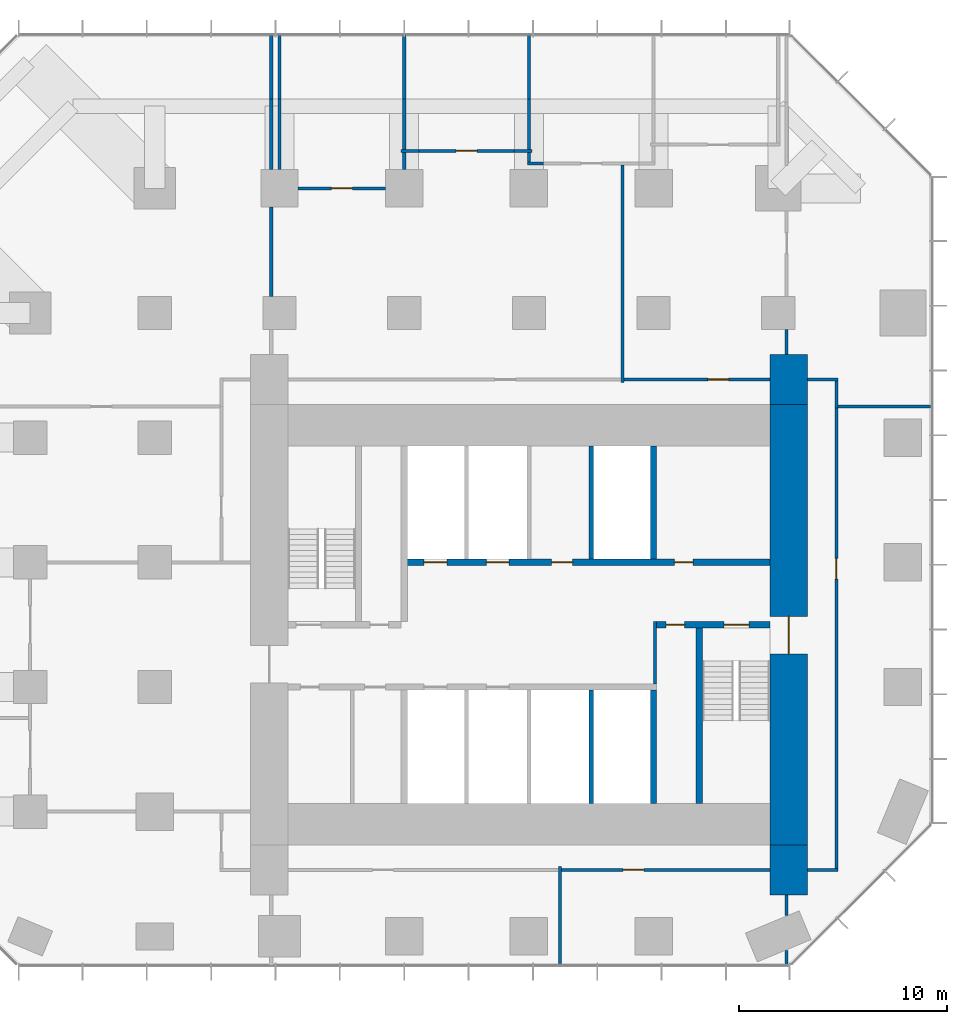
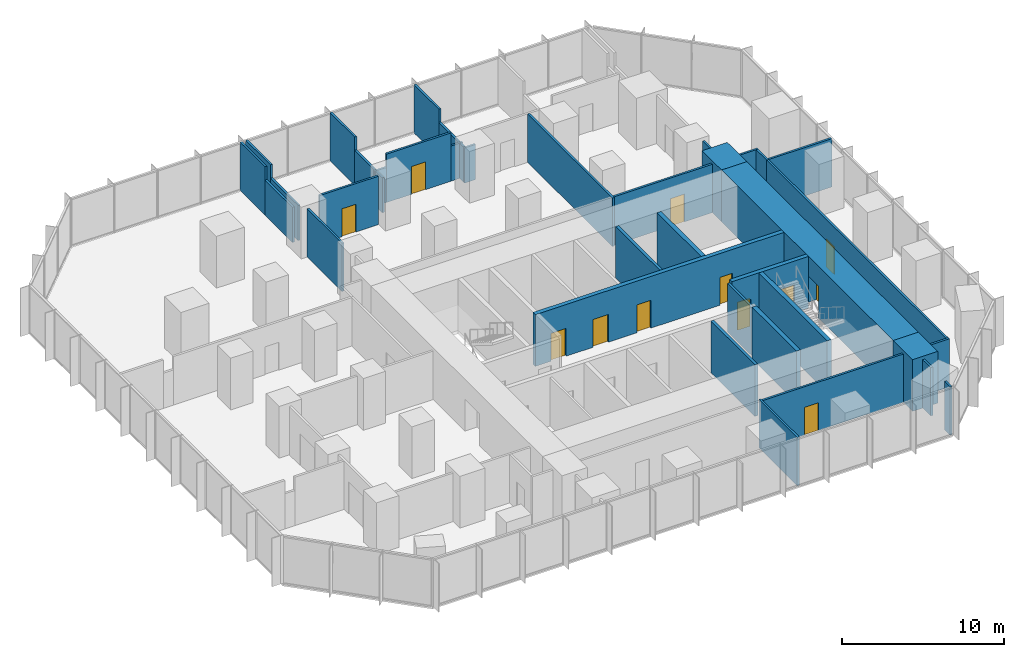
# One storey, part 9 of 11: 39 walls, 12 doors, 12 openings.
"""IFC4 building model written with IfcOpenShell, lengths in metres."""

from ifc_helpers import new_model, si_unit, direction, frame, frame_2d, origin, place, context, subcontext, project, spatial, rectangle, extrude, material, layer, layer_set, type_object, element, fill, save


model = new_model("IFC4")

# Units and contexts
model_context = context("Model", 3, precision=1e-05, world=origin(), true_north=direction((0.0, 1.0)))
body_context = subcontext(model_context, "Body", "Model", "MODEL_VIEW")
ifc_project = project(units=[si_unit("LENGTHUNIT", "METRE"), si_unit("AREAUNIT", "SQUARE_METRE"), si_unit("VOLUMEUNIT", "CUBIC_METRE"), si_unit("PLANEANGLEUNIT", "RADIAN"), si_unit("MASSUNIT", "GRAM", prefix="KILO")], contexts=[model_context])

# Site, building, storey
site_placement = place(None, origin())
site = spatial("IfcSite", under=ifc_project, at=site_placement, CompositionType="ELEMENT")
building_placement = place(site_placement, origin())
building = spatial("IfcBuilding", under=site, at=building_placement, Name="Highveld Stack Headquarters", CompositionType="ELEMENT")
storey_placement = place(building_placement, frame((0.0, 0.0, 93.800048828125)))
storey = spatial("IfcBuildingStorey", under=building, at=storey_placement, Name="L22", CompositionType="ELEMENT", Elevation=93.800048828125)

# Wall, opening, door
ifc_material_1 = material(Name="Concrete C60/75", Category="concrete")
ifc_layer_1 = layer(ifc_material_1, 1.800048828125)
ifc_layer_set_1 = layer_set([ifc_layer_1], Name="Concrete C60/75")
wall_type_1 = type_object("IfcWallType", Name="CORE WALL 1800 C60/75", PredefinedType="SHEAR", material=ifc_layer_set_1)
wall_1_placement = place(storey_placement, frame((18.5, -7.60009765625, 0.0), z_axis=(0.0, 0.0, 1.0), x_axis=(0.0, 1.0, 0.0)))
wall_1 = element("IfcWall", 1, at=wall_1_placement, inside=storey, type_object=wall_type_1, Name="Core wall E L22", PredefinedType="SHEAR", context=body_context, shape_type="SweptSolid", body=[
    extrude(rectangle(XDim=21.2001953125, YDim=1.800048828125, at=frame_2d((10.60009765625, 0.0))), origin(), (0.0, 0.0, 1.0), 3.89990234375),
])
opening_1_placement = place(wall_1_placement, frame((9.199951171875, 0.0, 0.0)))
opening_1 = element("IfcOpeningElement", 2, at=opening_1_placement, cuts=wall_1, Name="Opening L22-02", PredefinedType="OPENING", context=body_context, shape_type="SweptSolid", body=[
    extrude(rectangle(XDim=1.800048828125, YDim=2.39990234375, at=frame_2d((0.89990234375, 1.199951171875))), frame((0.0, 0.909912109375, 0.0), z_axis=(0.0, -1.0, 0.0), x_axis=(1.0, 0.0, 0.0)), (0.0, 0.0, 1.0), 1.820068359375),
])
ifc_material_2 = material(Name="Steel fire door", Category="steel")
door_type_1 = type_object("IfcDoorType", Name="LOBBY FIRE DOOR D4 1800x2400", OperationType="DOUBLE_DOOR_SINGLE_SWING", PredefinedType="DOOR", material=ifc_material_2)
door_1_placement = place(opening_1_placement, origin())
door_1 = element("IfcDoor", 3, at=door_1_placement, inside=storey, type_object=door_type_1, Name="Core east door L22", OperationType="DOUBLE_DOOR_SINGLE_SWING", OverallHeight=2.39990234375, OverallWidth=1.800048828125, PredefinedType="DOOR", context=body_context, shape_type="SweptSolid", body=[
    extrude(rectangle(XDim=1.800048828125, YDim=2.39990234375, at=frame_2d((0.89990234375, 1.199951171875))), frame((0.0, 0.02490234375, 0.0), z_axis=(0.0, -1.0, 0.0), x_axis=(1.0, 0.0, 0.0)), (0.0, 0.0, 1.0), 0.050048828125),
])
fill(opening_1, door_1)

# Wall, openings, doors
ifc_material_3 = material(Name="Concrete C60/75", Category="concrete")
ifc_layer_2 = layer(ifc_material_3, 0.300048828125)
ifc_layer_set_2 = layer_set([ifc_layer_2], Name="Concrete C60/75")
wall_type_2 = type_object("IfcWallType", Name="CORE WALL 300 C60/75", PredefinedType="SHEAR", material=ifc_layer_set_2)
wall_2_placement = place(storey_placement, frame((12.14990234375, 3.0, 0.0), z_axis=(0.0, 0.0, 1.0), x_axis=(1.0, 0.0, 0.0)))
wall_2 = element("IfcWall", 4, at=wall_2_placement, inside=storey, type_object=wall_type_2, Name="Core wall I-Y3E L22", PredefinedType="SHEAR", context=body_context, shape_type="SweptSolid", body=[
    extrude(rectangle(XDim=5.4501953125, YDim=0.300048828125, at=frame_2d((2.72509765625, 0.0))), origin(), (0.0, 0.0, 1.0), 3.89990234375),
])
opening_2_placement = place(wall_2_placement, frame((3.25, 0.0, 0.0)))
opening_2 = element("IfcOpeningElement", 5, at=opening_2_placement, cuts=wall_2, Name="Opening L22-05", PredefinedType="OPENING", context=body_context, shape_type="SweptSolid", body=[
    extrude(rectangle(XDim=1.199951171875, YDim=2.10009765625, at=frame_2d((0.60009765625, 1.050048828125))), frame((0.0, 0.159912109375, 0.0), z_axis=(0.0, -1.0, 0.0), x_axis=(1.0, 0.0, 0.0)), (0.0, 0.0, 1.0), 0.320068359375),
])
opening_3_placement = place(wall_2_placement, frame((0.449951171875, 0.0, 0.0)))
opening_3 = element("IfcOpeningElement", 6, at=opening_3_placement, cuts=wall_2, Name="Opening L22-06", PredefinedType="OPENING", context=body_context, shape_type="SweptSolid", body=[
    extrude(rectangle(XDim=0.89990234375, YDim=2.10009765625, at=frame_2d((0.449951171875, 1.050048828125))), frame((0.0, 0.159912109375, 0.0), z_axis=(0.0, -1.0, 0.0), x_axis=(1.0, 0.0, 0.0)), (0.0, 0.0, 1.0), 0.320068359375),
])
ifc_material_4 = material(Name="Steel fire door", Category="steel")
door_type_2 = type_object("IfcDoorType", Name="RISER ACCESS DOOR D5 900x2100", OperationType="SINGLE_SWING_LEFT", PredefinedType="DOOR", material=ifc_material_4)
door_2_placement = place(opening_3_placement, origin())
door_2 = element("IfcDoor", 7, at=door_2_placement, inside=storey, type_object=door_type_2, Name="Riser R2 door L22", OperationType="SINGLE_SWING_LEFT", OverallHeight=2.10009765625, OverallWidth=0.89990234375, PredefinedType="DOOR", context=body_context, shape_type="SweptSolid", body=[
    extrude(rectangle(XDim=0.89990234375, YDim=2.10009765625, at=frame_2d((0.449951171875, 1.050048828125))), frame((0.0, 0.02490234375, 0.0), z_axis=(0.0, -1.0, 0.0), x_axis=(1.0, 0.0, 0.0)), (0.0, 0.0, 1.0), 0.050048828125),
])
fill(opening_3, door_2)
ifc_material_5 = material(Name="Steel fire door", Category="steel")
door_type_3 = type_object("IfcDoorType", Name="STAIR FIRE DOOR D3 1200x2100", OperationType="SINGLE_SWING_LEFT", PredefinedType="DOOR", material=ifc_material_5)
door_3_placement = place(opening_2_placement, origin())
door_3 = element("IfcDoor", 8, at=door_3_placement, inside=storey, type_object=door_type_3, Name="Stair S2 door L22", OperationType="SINGLE_SWING_RIGHT", OverallHeight=2.10009765625, OverallWidth=1.199951171875, PredefinedType="DOOR", context=body_context, shape_type="SweptSolid", body=[
    extrude(rectangle(XDim=1.199951171875, YDim=2.10009765625, at=frame_2d((0.60009765625, 1.050048828125))), frame((0.0, 0.02490234375, 0.0), z_axis=(0.0, -1.0, 0.0), x_axis=(1.0, 0.0, 0.0)), (0.0, 0.0, 1.0), 0.050048828125),
])
fill(opening_2, door_3)

wall_3_placement = place(storey_placement, frame((-0.14990234375, 6.0, 0.0), z_axis=(0.0, 0.0, 1.0), x_axis=(1.0, 0.0, 0.0)))
wall_3 = element("IfcWall", 9, at=wall_3_placement, inside=storey, type_object=wall_type_2, Name="Core wall I-Y6 L22", PredefinedType="SHEAR", context=body_context, shape_type="SweptSolid", body=[
    extrude(rectangle(XDim=17.75, YDim=0.300048828125, at=frame_2d((8.875, 0.0))), origin(), (0.0, 0.0, 1.0), 3.89990234375),
])
opening_4_placement = place(wall_3_placement, frame((13.14990234375, 0.0, 0.0)))
opening_4 = element("IfcOpeningElement", 10, at=opening_4_placement, cuts=wall_3, Name="Opening L22-09", PredefinedType="OPENING", context=body_context, shape_type="SweptSolid", body=[
    extrude(rectangle(XDim=0.89990234375, YDim=2.10009765625, at=frame_2d((0.449951171875, 1.050048828125))), frame((0.0, 0.159912109375, 0.0), z_axis=(0.0, -1.0, 0.0), x_axis=(1.0, 0.0, 0.0)), (0.0, 0.0, 1.0), 0.320068359375),
])
opening_5_placement = place(wall_3_placement, frame((7.25, 0.0, 0.0)))
opening_5 = element("IfcOpeningElement", 11, at=opening_5_placement, cuts=wall_3, Name="Opening L22-10", PredefinedType="OPENING", context=body_context, shape_type="SweptSolid", body=[
    extrude(rectangle(XDim=1.0, YDim=2.10009765625, at=frame_2d((0.5, 1.050048828125))), frame((0.0, 0.159912109375, 0.0), z_axis=(0.0, -1.0, 0.0), x_axis=(1.0, 0.0, 0.0)), (0.0, 0.0, 1.0), 0.320068359375),
])
opening_6_placement = place(wall_3_placement, frame((1.10009765625, 0.0, 0.0)))
opening_6 = element("IfcOpeningElement", 12, at=opening_6_placement, cuts=wall_3, Name="Opening LD", PredefinedType="OPENING", context=body_context, shape_type="SweptSolid", body=[
    extrude(rectangle(XDim=1.10009765625, YDim=2.10009765625, at=frame_2d((0.550048828125, 1.050048828125))), frame((0.0, 0.159912109375, 0.0), z_axis=(0.0, -1.0, 0.0), x_axis=(1.0, 0.0, 0.0)), (0.0, 0.0, 1.0), 0.320068359375),
])
opening_7_placement = place(wall_3_placement, frame((4.10009765625, 0.0, 0.0)))
opening_7 = element("IfcOpeningElement", 13, at=opening_7_placement, cuts=wall_3, Name="Opening LD", PredefinedType="OPENING", context=body_context, shape_type="SweptSolid", body=[
    extrude(rectangle(XDim=1.10009765625, YDim=2.10009765625, at=frame_2d((0.550048828125, 1.050048828125))), frame((0.0, 0.159912109375, 0.0), z_axis=(0.0, -1.0, 0.0), x_axis=(1.0, 0.0, 0.0)), (0.0, 0.0, 1.0), 0.320068359375),
])
ifc_material_6 = material(Name="Steel fire door", Category="steel")
door_type_4 = type_object("IfcDoorType", Name="CORE ROOM FIRE DOOR D14 1000x2100", OperationType="SINGLE_SWING_LEFT", PredefinedType="DOOR", material=ifc_material_6)
door_4_placement = place(opening_5_placement, origin())
door_4 = element("IfcDoor", 14, at=door_4_placement, inside=storey, type_object=door_type_4, Name="Capped A 1 door L22", OperationType="SINGLE_SWING_LEFT", OverallHeight=2.10009765625, OverallWidth=1.0, PredefinedType="DOOR", context=body_context, shape_type="SweptSolid", body=[
    extrude(rectangle(XDim=1.0, YDim=2.10009765625, at=frame_2d((0.5, 1.050048828125))), frame((0.0, 0.02490234375, 0.0), z_axis=(0.0, -1.0, 0.0), x_axis=(1.0, 0.0, 0.0)), (0.0, 0.0, 1.0), 0.050048828125),
])
fill(opening_5, door_4)
ifc_material_7 = material(Name="Stainless steel lift landing door", Category="steel")
door_type_5 = type_object("IfcDoorType", Name="LIFT LANDING DOOR LD 1100x2100", OperationType="DOUBLE_DOOR_SLIDING", PredefinedType="USERDEFINED", material=ifc_material_7)
door_5_placement = place(opening_6_placement, origin())
door_5 = element("IfcDoor", 15, at=door_5_placement, inside=storey, type_object=door_type_5, Name="Lift landing door FF1 L22", ObjectType="LIFT LANDING DOOR", OperationType="DOUBLE_DOOR_SLIDING", OverallHeight=2.10009765625, OverallWidth=1.10009765625, PredefinedType="USERDEFINED", context=body_context, shape_type="SweptSolid", body=[
    extrude(rectangle(XDim=1.10009765625, YDim=2.10009765625, at=frame_2d((0.550048828125, 1.050048828125))), frame((0.0, 0.02490234375, 0.0), z_axis=(0.0, -1.0, 0.0), x_axis=(1.0, 0.0, 0.0)), (0.0, 0.0, 1.0), 0.050048828125),
])
fill(opening_6, door_5)
door_6_placement = place(opening_7_placement, origin())
door_6 = element("IfcDoor", 16, at=door_6_placement, inside=storey, type_object=door_type_5, Name="Lift landing door FF2 L22", ObjectType="LIFT LANDING DOOR", OperationType="DOUBLE_DOOR_SLIDING", OverallHeight=2.10009765625, OverallWidth=1.10009765625, PredefinedType="USERDEFINED", context=body_context, shape_type="SweptSolid", body=[
    extrude(rectangle(XDim=1.10009765625, YDim=2.10009765625, at=frame_2d((0.550048828125, 1.050048828125))), frame((0.0, 0.02490234375, 0.0), z_axis=(0.0, -1.0, 0.0), x_axis=(1.0, 0.0, 0.0)), (0.0, 0.0, 1.0), 0.050048828125),
])
fill(opening_7, door_6)
ifc_material_8 = material(Name="Timber door, painted", Category="wood")
door_type_6 = type_object("IfcDoorType", Name="WC DOOR D1 900x2100", OperationType="SINGLE_SWING_LEFT", PredefinedType="DOOR", material=ifc_material_8)
door_7_placement = place(opening_4_placement, origin())
door_7 = element("IfcDoor", 17, at=door_7_placement, inside=storey, type_object=door_type_6, Name="Male WC door L22", OperationType="SINGLE_SWING_RIGHT", OverallHeight=2.10009765625, OverallWidth=0.89990234375, PredefinedType="DOOR", context=body_context, shape_type="SweptSolid", body=[
    extrude(rectangle(XDim=0.89990234375, YDim=2.10009765625, at=frame_2d((0.449951171875, 1.050048828125))), frame((0.0, 0.02490234375, 0.0), z_axis=(0.0, -1.0, 0.0), x_axis=(1.0, 0.0, 0.0)), (0.0, 0.0, 1.0), 0.050048828125),
])
fill(opening_4, door_7)

# Walls
for number, where, z_axis, x_axis, name in (
    (18, (12.0, -5.60009765625, 0.0), (0.0, 0.0, 1.0), (0.0, 1.0, 0.0), "Core wall I-X12S L22"),
    (19, (12.0, 6.14990234375, 0.0), (0.0, 0.0, 1.0), (0.0, 1.0, 0.0), "Core wall I-X12N L22"),
):
    element("IfcWall", number, at=place(storey_placement, frame(where, z_axis=z_axis, x_axis=x_axis)), inside=storey, type_object=wall_type_2, Name=name, PredefinedType="SHEAR", context=body_context, shape_type="SweptSolid", body=[
        extrude(rectangle(XDim=5.4501953125, YDim=0.300048828125, at=frame_2d((2.72509765625, 0.0))), origin(), (0.0, 0.0, 1.0), 3.89990234375),
    ])
wall_4_placement = place(storey_placement, frame((14.199951171875, -5.60009765625, 0.0), z_axis=(0.0, 0.0, 1.0), x_axis=(0.0, 1.0, 0.0)))
element("IfcWall", 20, at=wall_4_placement, inside=storey, type_object=wall_type_2, Name="Core wall I-RE L22", PredefinedType="SHEAR", context=body_context, shape_type="SweptSolid", body=[
    extrude(rectangle(XDim=8.4501953125, YDim=0.300048828125, at=frame_2d((4.22509765625, 0.0))), origin(), (0.0, 0.0, 1.0), 3.89990234375),
])
ifc_material_9 = material(Name="Concrete C60/75", Category="concrete")
ifc_layer_3 = layer(ifc_material_9, 1.800048828125)
ifc_layer_set_3 = layer_set([ifc_layer_3], Name="Concrete C60/75")
wall_type_3 = type_object("IfcWallType", Name="CORE WING WALL 1800 C60/75", PredefinedType="SHEAR", material=ifc_layer_set_3)
for number, where, z_axis, x_axis, name in (
    (21, (18.5, -10.0, 0.0), (0.0, 0.0, 1.0), (0.0, 1.0, 0.0), "Core wing wall ES L22"),
    (22, (18.5, 13.60009765625, 0.0), (0.0, 0.0, 1.0), (0.0, 1.0, 0.0), "Core wing wall EN L22"),
):
    element("IfcWall", number, at=place(storey_placement, frame(where, z_axis=z_axis, x_axis=x_axis)), inside=storey, type_object=wall_type_3, Name=name, PredefinedType="SHEAR", context=body_context, shape_type="SweptSolid", body=[
        extrude(rectangle(XDim=2.39990234375, YDim=1.800048828125, at=frame_2d((1.199951171875, 0.0))), origin(), (0.0, 0.0, 1.0), 3.89990234375),
    ])
ifc_material_10 = material(Name="Concrete blockwork, plastered", Category="masonry")
ifc_layer_4 = layer(ifc_material_10, 0.14990234375)
ifc_layer_set_4 = layer_set([ifc_layer_4], Name="Concrete blockwork, plastered")
wall_type_4 = type_object("IfcWallType", Name="FIRE PARTITION 150 BLOCKWORK", PredefinedType="PARTITIONING", material=ifc_layer_set_4)
wall_5_placement = place(storey_placement, frame((12.074951171875, 0.14990234375, 0.0), z_axis=(0.0, 0.0, 1.0), x_axis=(0.0, 1.0, 0.0)))
element("IfcWall", 23, at=wall_5_placement, inside=storey, type_object=wall_type_4, Name="Riser R2 enclosure L22", PredefinedType="PARTITIONING", context=body_context, shape_type="SweptSolid", body=[
    extrude(rectangle(XDim=3.0, YDim=0.14990234375, at=frame_2d((1.5, 0.0))), origin(), (0.0, 0.0, 1.0), 3.64990234375),
])
ifc_material_11 = material(Name="Concrete blockwork, fair-faced", Category="masonry")
ifc_layer_5 = layer(ifc_material_11, 0.199951171875)
ifc_layer_set_5 = layer_set([ifc_layer_5], Name="Concrete blockwork, fair-faced")
wall_type_5 = type_object("IfcWallType", Name="LIFT SHAFT ENCLOSURE WALL 200 BLOCKWORK", PredefinedType="SOLIDWALL", material=ifc_layer_set_5)
for number, where, z_axis, x_axis, name in (
    (24, (9.0, 6.14990234375, 0.0), (0.0, 0.0, 1.0), (0.0, 1.0, 0.0), "Lift shaft wall L22"),
    (25, (9.0, -5.60009765625, 0.0), (0.0, 0.0, 1.0), (0.0, 1.0, 0.0), "Lift shaft wall L22"),
):
    element("IfcWall", number, at=place(storey_placement, frame(where, z_axis=z_axis, x_axis=x_axis)), inside=storey, type_object=wall_type_5, Name=name, PredefinedType="SOLIDWALL", context=body_context, shape_type="SweptSolid", body=[
        extrude(rectangle(XDim=5.4501953125, YDim=0.199951171875, at=frame_2d((2.72509765625, 0.0))), origin(), (0.0, 0.0, 1.0), 3.89990234375),
    ])

# Wall, opening, door
ifc_material_12 = material(Name="Gypsum plasterboard on steel studs", Category="steel")
ifc_layer_6 = layer(ifc_material_12, 0.14990234375)
ifc_layer_set_6 = layer_set([ifc_layer_6], Name="Gypsum plasterboard on steel studs")
wall_type_6 = type_object("IfcWallType", Name="PARTITION 150 PLASTERBOARD", PredefinedType="PARTITIONING", material=ifc_layer_set_6)
wall_6_placement = place(storey_placement, frame((-5.10009765625, 24.0, 0.0), z_axis=(0.0, 0.0, 1.0), x_axis=(1.0, 0.0, 0.0)))
wall_6 = element("IfcWall", 26, at=wall_6_placement, inside=storey, type_object=wall_type_6, Name="Partition Office L22", PredefinedType="PARTITIONING", context=body_context, shape_type="SweptSolid", body=[
    extrude(rectangle(XDim=4.2001953125, YDim=0.14990234375, at=frame_2d((2.10009765625, 0.0))), origin(), (0.0, 0.0, 1.0), 3.64990234375),
])
opening_8_placement = place(wall_6_placement, frame((1.60009765625, 0.0, 0.0)))
opening_8 = element("IfcOpeningElement", 27, at=opening_8_placement, cuts=wall_6, Name="Opening L22-13", PredefinedType="OPENING", context=body_context, shape_type="SweptSolid", body=[
    extrude(rectangle(XDim=1.0, YDim=2.10009765625, at=frame_2d((0.5, 1.050048828125))), frame((0.0, 0.0849609375, 0.0), z_axis=(0.0, -1.0, 0.0), x_axis=(1.0, 0.0, 0.0)), (0.0, 0.0, 1.0), 0.169921875),
])
ifc_material_13 = material(Name="Timber door, oiled ash", Category="wood")
door_type_7 = type_object("IfcDoorType", Name="ROOM DOOR D6 1000x2100", OperationType="SINGLE_SWING_LEFT", PredefinedType="DOOR", material=ifc_material_13)
door_8_placement = place(opening_8_placement, origin())
door_8 = element("IfcDoor", 28, at=door_8_placement, inside=storey, type_object=door_type_7, Name="Office door 1 L22", OperationType="SINGLE_SWING_RIGHT", OverallHeight=2.10009765625, OverallWidth=1.0, PredefinedType="DOOR", context=body_context, shape_type="SweptSolid", body=[
    extrude(rectangle(XDim=1.0, YDim=2.10009765625, at=frame_2d((0.5, 1.050048828125))), frame((0.0, 0.02490234375, 0.0), z_axis=(0.0, -1.0, 0.0), x_axis=(1.0, 0.0, 0.0)), (0.0, 0.0, 1.0), 0.050048828125),
])
fill(opening_8, door_8)

# Walls
wall_7_placement = place(storey_placement, frame((5.925048828125, 25.199951171875, 0.0), z_axis=(0.0, 0.0, 1.0), x_axis=(1.0, 0.0, 0.0)))
element("IfcWall", 29, at=wall_7_placement, inside=storey, type_object=wall_type_6, Name="Partition Tea kitchen L22", PredefinedType="PARTITIONING", context=body_context, shape_type="SweptSolid", body=[
    extrude(rectangle(XDim=0.784912109375, YDim=0.14990234375, at=frame_2d((0.392578125, 0.0))), origin(), (0.0, 0.0, 1.0), 2.64990234375),
])
wall_8_placement = place(storey_placement, frame((-0.14990234375, 25.800048828125, 0.0), z_axis=(0.0, 0.0, 1.0), x_axis=(1.0, 0.0, 0.0)))
element("IfcWall", 30, at=wall_8_placement, inside=storey, type_object=wall_type_6, Name="Partition Print room L22", PredefinedType="PARTITIONING", context=body_context, shape_type="SweptSolid", body=[
    extrude(rectangle(XDim=0.85986328125, YDim=0.14990234375, at=frame_2d((0.429931640625, 0.0))), origin(), (0.0, 0.0, 1.0), 2.64990234375),
])

# Wall, opening, door
wall_9_placement = place(storey_placement, frame((0.7099609375, 25.800048828125, 0.0), z_axis=(0.0, 0.0, 1.0), x_axis=(1.0, 0.0, 0.0)))
wall_9 = element("IfcWall", 31, at=wall_9_placement, inside=storey, type_object=wall_type_6, Name="Partition Print room L22", PredefinedType="PARTITIONING", context=body_context, shape_type="SweptSolid", body=[
    extrude(rectangle(XDim=4.580078125, YDim=0.14990234375, at=frame_2d((2.2900390625, 0.0))), origin(), (0.0, 0.0, 1.0), 3.64990234375),
])
opening_9_placement = place(wall_9_placement, frame((1.7900390625, 0.0, 0.0)))
opening_9 = element("IfcOpeningElement", 32, at=opening_9_placement, cuts=wall_9, Name="Opening L22-14", PredefinedType="OPENING", context=body_context, shape_type="SweptSolid", body=[
    extrude(rectangle(XDim=1.0, YDim=2.10009765625, at=frame_2d((0.5, 1.050048828125))), frame((0.0, 0.0849609375, 0.0), z_axis=(0.0, -1.0, 0.0), x_axis=(1.0, 0.0, 0.0)), (0.0, 0.0, 1.0), 0.169921875),
])
door_9_placement = place(opening_9_placement, origin())
door_9 = element("IfcDoor", 33, at=door_9_placement, inside=storey, type_object=door_type_7, Name="Print room door 1 L22", OperationType="SINGLE_SWING_LEFT", OverallHeight=2.10009765625, OverallWidth=1.0, PredefinedType="DOOR", context=body_context, shape_type="SweptSolid", body=[
    extrude(rectangle(XDim=1.0, YDim=2.10009765625, at=frame_2d((0.5, 1.050048828125))), frame((0.0, 0.02490234375, 0.0), z_axis=(0.0, -1.0, 0.0), x_axis=(1.0, 0.0, 0.0)), (0.0, 0.0, 1.0), 0.050048828125),
])
fill(opening_9, door_9)

# Walls
wall_10_placement = place(storey_placement, frame((5.2900390625, 25.800048828125, 0.0), z_axis=(0.0, 0.0, 1.0), x_axis=(1.0, 0.0, 0.0)))
element("IfcWall", 34, at=wall_10_placement, inside=storey, type_object=wall_type_6, Name="Partition Print room L22", PredefinedType="PARTITIONING", context=body_context, shape_type="SweptSolid", body=[
    extrude(rectangle(XDim=0.85986328125, YDim=0.14990234375, at=frame_2d((0.429931640625, 0.0))), origin(), (0.0, 0.0, 1.0), 2.64990234375),
])
wall_11_placement = place(storey_placement, frame((-6.0, 24.89990234375, 0.0), z_axis=(0.0, 0.0, 1.0), x_axis=(0.0, 1.0, 0.0)))
element("IfcWall", 35, at=wall_11_placement, inside=storey, type_object=wall_type_6, Name="Partition Office L22", PredefinedType="PARTITIONING", context=body_context, shape_type="SweptSolid", body=[
    extrude(rectangle(XDim=3.41015625, YDim=0.14990234375, at=frame_2d((1.705078125, 0.0))), origin(), (0.0, 0.0, 1.0), 2.64990234375),
])
wall_12_placement = place(storey_placement, frame((-6.0, 28.31005859375, 0.0), z_axis=(0.0, 0.0, 1.0), x_axis=(0.0, 1.0, 0.0)))
element("IfcWall", 36, at=wall_12_placement, inside=storey, type_object=wall_type_6, Name="Partition Office L22", PredefinedType="PARTITIONING", context=body_context, shape_type="SweptSolid", body=[
    extrude(rectangle(XDim=3.06494140625, YDim=0.14990234375, at=frame_2d((1.532470703125, 0.0))), origin(), (0.0, 0.0, 1.0), 3.64990234375),
])
wall_13_placement = place(storey_placement, frame((0.0, 24.89990234375, 0.0), z_axis=(0.0, 0.0, 1.0), x_axis=(0.0, 1.0, 0.0)))
element("IfcWall", 37, at=wall_13_placement, inside=storey, type_object=wall_type_6, Name="Partition Office L22", PredefinedType="PARTITIONING", context=body_context, shape_type="SweptSolid", body=[
    extrude(rectangle(XDim=0.8251953125, YDim=0.14990234375, at=frame_2d((0.41259765625, 0.0))), origin(), (0.0, 0.0, 1.0), 2.64990234375),
])
wall_14_placement = place(storey_placement, frame((0.0, 25.875, 0.0), z_axis=(0.0, 0.0, 1.0), x_axis=(0.0, 1.0, 0.0)))
element("IfcWall", 38, at=wall_14_placement, inside=storey, type_object=wall_type_6, Name="Partition Office / Print room L22", PredefinedType="PARTITIONING", context=body_context, shape_type="SweptSolid", body=[
    extrude(rectangle(XDim=2.43505859375, YDim=0.14990234375, at=frame_2d((1.217529296875, 0.0))), origin(), (0.0, 0.0, 1.0), 2.64990234375),
])
wall_15_placement = place(storey_placement, frame((0.0, 28.31005859375, 0.0), z_axis=(0.0, 0.0, 1.0), x_axis=(0.0, 1.0, 0.0)))
element("IfcWall", 39, at=wall_15_placement, inside=storey, type_object=wall_type_6, Name="Partition Office / Print room L22", PredefinedType="PARTITIONING", context=body_context, shape_type="SweptSolid", body=[
    extrude(rectangle(XDim=3.0400390625, YDim=0.14990234375, at=frame_2d((1.52001953125, 0.0))), origin(), (0.0, 0.0, 1.0), 3.64990234375),
])
wall_16_placement = place(storey_placement, frame((6.0, 25.27490234375, 0.0), z_axis=(0.0, 0.0, 1.0), x_axis=(0.0, 1.0, 0.0)))
element("IfcWall", 40, at=wall_16_placement, inside=storey, type_object=wall_type_6, Name="Partition Tea kitchen L22", PredefinedType="PARTITIONING", context=body_context, shape_type="SweptSolid", body=[
    extrude(rectangle(XDim=0.4501953125, YDim=0.14990234375, at=frame_2d((0.22509765625, 0.0))), origin(), (0.0, 0.0, 1.0), 2.64990234375),
])
wall_17_placement = place(storey_placement, frame((6.0, 25.875, 0.0), z_axis=(0.0, 0.0, 1.0), x_axis=(0.0, 1.0, 0.0)))
element("IfcWall", 41, at=wall_17_placement, inside=storey, type_object=wall_type_6, Name="Partition Print room / Tea kitchen L22", PredefinedType="PARTITIONING", context=body_context, shape_type="SweptSolid", body=[
    extrude(rectangle(XDim=2.43505859375, YDim=0.14990234375, at=frame_2d((1.217529296875, 0.0))), origin(), (0.0, 0.0, 1.0), 2.64990234375),
])
wall_18_placement = place(storey_placement, frame((6.0, 28.31005859375, 0.0), z_axis=(0.0, 0.0, 1.0), x_axis=(0.0, 1.0, 0.0)))
element("IfcWall", 42, at=wall_18_placement, inside=storey, type_object=wall_type_6, Name="Partition Print room / Tea kitchen L22", PredefinedType="PARTITIONING", context=body_context, shape_type="SweptSolid", body=[
    extrude(rectangle(XDim=3.06494140625, YDim=0.14990234375, at=frame_2d((1.532470703125, 0.0))), origin(), (0.0, 0.0, 1.0), 3.64990234375),
])
wall_19_placement = place(storey_placement, frame((-6.39990234375, 18.800048828125, 0.0), z_axis=(0.0, 0.0, 1.0), x_axis=(0.0, 1.0, 0.0)))
element("IfcWall", 43, at=wall_19_placement, inside=storey, type_object=wall_type_6, Name="Partition office neighbourhood L22", PredefinedType="PARTITIONING", context=body_context, shape_type="SweptSolid", body=[
    extrude(rectangle(XDim=4.300048828125, YDim=0.14990234375, at=frame_2d((2.14990234375, 0.0))), origin(), (0.0, 0.0, 1.0), 3.64990234375),
])
wall_20_placement = place(storey_placement, frame((-6.39990234375, 24.89990234375, 0.0), z_axis=(0.0, 0.0, 1.0), x_axis=(0.0, 1.0, 0.0)))
element("IfcWall", 44, at=wall_20_placement, inside=storey, type_object=wall_type_6, Name="Partition office neighbourhood L22", PredefinedType="PARTITIONING", context=body_context, shape_type="SweptSolid", body=[
    extrude(rectangle(XDim=3.41015625, YDim=0.14990234375, at=frame_2d((1.705078125, 0.0))), origin(), (0.0, 0.0, 1.0), 2.64990234375),
])
wall_21_placement = place(storey_placement, frame((-6.39990234375, 28.31005859375, 0.0), z_axis=(0.0, 0.0, 1.0), x_axis=(0.0, 1.0, 0.0)))
element("IfcWall", 45, at=wall_21_placement, inside=storey, type_object=wall_type_6, Name="Partition office neighbourhood L22", PredefinedType="PARTITIONING", context=body_context, shape_type="SweptSolid", body=[
    extrude(rectangle(XDim=3.06494140625, YDim=0.14990234375, at=frame_2d((1.532470703125, 0.0))), origin(), (0.0, 0.0, 1.0), 3.64990234375),
])
wall_22_placement = place(storey_placement, frame((7.5, -13.375, 0.0), z_axis=(0.0, 0.0, 1.0), x_axis=(0.0, 1.0, 0.0)))
element("IfcWall", 46, at=wall_22_placement, inside=storey, type_object=wall_type_6, Name="Partition office neighbourhood L22", PredefinedType="PARTITIONING", context=body_context, shape_type="SweptSolid", body=[
    extrude(rectangle(XDim=4.72509765625, YDim=0.14990234375, at=frame_2d((2.362548828125, 0.0))), origin(), (0.0, 0.0, 1.0), 3.64990234375),
])

# Wall, opening, door
wall_23_placement = place(storey_placement, frame((7.574951171875, -8.800048828125, 0.0), z_axis=(0.0, 0.0, 1.0), x_axis=(1.0, 0.0, 0.0)))
wall_23 = element("IfcWall", 47, at=wall_23_placement, inside=storey, type_object=wall_type_6, Name="Partition office neighbourhood L22", PredefinedType="PARTITIONING", context=body_context, shape_type="SweptSolid", body=[
    extrude(rectangle(XDim=10.025146484375, YDim=0.14990234375, at=frame_2d((5.0126953125, 0.0))), origin(), (0.0, 0.0, 1.0), 3.64990234375),
])
opening_10_placement = place(wall_23_placement, frame((2.9599609375, 0.0, 0.0)))
opening_10 = element("IfcOpeningElement", 48, at=opening_10_placement, cuts=wall_23, Name="Opening L22-18", PredefinedType="OPENING", context=body_context, shape_type="SweptSolid", body=[
    extrude(rectangle(XDim=1.0, YDim=2.10009765625, at=frame_2d((0.5, 1.050048828125))), frame((0.0, 0.0849609375, 0.0), z_axis=(0.0, -1.0, 0.0), x_axis=(1.0, 0.0, 0.0)), (0.0, 0.0, 1.0), 0.169921875),
])
door_10_placement = place(opening_10_placement, origin())
door_10 = element("IfcDoor", 49, at=door_10_placement, inside=storey, type_object=door_type_7, Name="Office neighbourhood door L22", OperationType="SINGLE_SWING_LEFT", OverallHeight=2.10009765625, OverallWidth=1.0, PredefinedType="DOOR", context=body_context, shape_type="SweptSolid", body=[
    extrude(rectangle(XDim=1.0, YDim=2.10009765625, at=frame_2d((0.5, 1.050048828125))), frame((0.0, 0.02490234375, 0.0), z_axis=(0.0, -1.0, 0.0), x_axis=(1.0, 0.0, 0.0)), (0.0, 0.0, 1.0), 0.050048828125),
])
fill(opening_10, door_10)

# Wall
wall_24_placement = place(storey_placement, frame((10.5, 14.64990234375, 0.0), z_axis=(0.0, 0.0, 1.0), x_axis=(0.0, 1.0, 0.0)))
element("IfcWall", 50, at=wall_24_placement, inside=storey, type_object=wall_type_6, Name="Partition office neighbourhood L22", PredefinedType="PARTITIONING", context=body_context, shape_type="SweptSolid", body=[
    extrude(rectangle(XDim=10.47509765625, YDim=0.14990234375, at=frame_2d((5.237548828125, 0.0))), origin(), (0.0, 0.0, 1.0), 3.64990234375),
])

# Wall, opening, door
wall_25_placement = place(storey_placement, frame((10.574951171875, 14.800048828125, 0.0), z_axis=(0.0, 0.0, 1.0), x_axis=(1.0, 0.0, 0.0)))
wall_25 = element("IfcWall", 51, at=wall_25_placement, inside=storey, type_object=wall_type_6, Name="Partition office neighbourhood L22", PredefinedType="PARTITIONING", context=body_context, shape_type="SweptSolid", body=[
    extrude(rectangle(XDim=7.025146484375, YDim=0.14990234375, at=frame_2d((3.5126953125, 0.0))), origin(), (0.0, 0.0, 1.0), 3.64990234375),
])
opening_11_placement = place(wall_25_placement, frame((4.0400390625, 0.0, 0.0)))
opening_11 = element("IfcOpeningElement", 52, at=opening_11_placement, cuts=wall_25, Name="Opening L22-23", PredefinedType="OPENING", context=body_context, shape_type="SweptSolid", body=[
    extrude(rectangle(XDim=1.0, YDim=2.10009765625, at=frame_2d((0.5, 1.050048828125))), frame((0.0, 0.0849609375, 0.0), z_axis=(0.0, -1.0, 0.0), x_axis=(1.0, 0.0, 0.0)), (0.0, 0.0, 1.0), 0.169921875),
])
door_11_placement = place(opening_11_placement, origin())
door_11 = element("IfcDoor", 53, at=door_11_placement, inside=storey, type_object=door_type_7, Name="Office neighbourhood door L22", OperationType="SINGLE_SWING_RIGHT", OverallHeight=2.10009765625, OverallWidth=1.0, PredefinedType="DOOR", context=body_context, shape_type="SweptSolid", body=[
    extrude(rectangle(XDim=1.0, YDim=2.10009765625, at=frame_2d((0.5, 1.050048828125))), frame((0.0, 0.02490234375, 0.0), z_axis=(0.0, -1.0, 0.0), x_axis=(1.0, 0.0, 0.0)), (0.0, 0.0, 1.0), 0.050048828125),
])
fill(opening_11, door_11)

# Walls
wall_26_placement = place(storey_placement, frame((18.39990234375, -13.375, 0.0), z_axis=(0.0, 0.0, 1.0), x_axis=(0.0, 1.0, 0.0)))
element("IfcWall", 54, at=wall_26_placement, inside=storey, type_object=wall_type_6, Name="Partition office neighbourhood L22", PredefinedType="PARTITIONING", context=body_context, shape_type="SweptSolid", body=[
    extrude(rectangle(XDim=0.69775390625, YDim=0.14990234375, at=frame_2d((0.348876953125, 0.0))), origin(), (0.0, 0.0, 1.0), 3.64990234375),
])
wall_27_placement = place(storey_placement, frame((18.39990234375, -10.991455078125, 0.0), z_axis=(0.0, 0.0, 1.0), x_axis=(0.0, 1.0, 0.0)))
element("IfcWall", 55, at=wall_27_placement, inside=storey, type_object=wall_type_6, Name="Partition office neighbourhood L22", PredefinedType="PARTITIONING", context=body_context, shape_type="SweptSolid", body=[
    extrude(rectangle(XDim=0.991455078125, YDim=0.14990234375, at=frame_2d((0.49560546875, 0.0))), origin(), (0.0, 0.0, 1.0), 3.64990234375),
])
wall_28_placement = place(storey_placement, frame((18.39990234375, 16.0, 0.0), z_axis=(0.0, 0.0, 1.0), x_axis=(0.0, 1.0, 0.0)))
element("IfcWall", 56, at=wall_28_placement, inside=storey, type_object=wall_type_6, Name="Partition office neighbourhood L22", PredefinedType="PARTITIONING", context=body_context, shape_type="SweptSolid", body=[
    extrude(rectangle(XDim=1.199951171875, YDim=0.14990234375, at=frame_2d((0.60009765625, 0.0))), origin(), (0.0, 0.0, 1.0), 3.64990234375),
])
for number, where, z_axis, x_axis, name in (
    (57, (19.39990234375, -8.800048828125, 0.0), (0.0, 0.0, 1.0), (1.0, 0.0, 0.0), "Partition office neighbourhood L22"),
    (58, (19.39990234375, 14.800048828125, 0.0), (0.0, 0.0, 1.0), (1.0, 0.0, 0.0), "Partition office neighbourhood L22"),
):
    element("IfcWall", number, at=place(storey_placement, frame(where, z_axis=z_axis, x_axis=x_axis)), inside=storey, type_object=wall_type_6, Name=name, PredefinedType="PARTITIONING", context=body_context, shape_type="SweptSolid", body=[
        extrude(rectangle(XDim=1.47509765625, YDim=0.14990234375, at=frame_2d((0.737548828125, 0.0))), origin(), (0.0, 0.0, 1.0), 3.64990234375),
    ])

# Wall, opening, door
wall_29_placement = place(storey_placement, frame((20.800048828125, -8.72509765625, 0.0), z_axis=(0.0, 0.0, 1.0), x_axis=(0.0, 1.0, 0.0)))
wall_29 = element("IfcWall", 59, at=wall_29_placement, inside=storey, type_object=wall_type_6, Name="Partition office neighbourhood L22", PredefinedType="PARTITIONING", context=body_context, shape_type="SweptSolid", body=[
    extrude(rectangle(XDim=22.150146484375, YDim=0.14990234375, at=frame_2d((11.0751953125, 0.0))), origin(), (0.0, 0.0, 1.0), 3.64990234375),
])
opening_12_placement = place(wall_29_placement, frame((13.919921875, 0.0, 0.0)))
opening_12 = element("IfcOpeningElement", 60, at=opening_12_placement, cuts=wall_29, Name="Opening L22-20", PredefinedType="OPENING", context=body_context, shape_type="SweptSolid", body=[
    extrude(rectangle(XDim=1.0, YDim=2.10009765625, at=frame_2d((0.5, 1.050048828125))), frame((0.0, 0.0849609375, 0.0), z_axis=(0.0, -1.0, 0.0), x_axis=(1.0, 0.0, 0.0)), (0.0, 0.0, 1.0), 0.169921875),
])
door_12_placement = place(opening_12_placement, origin())
door_12 = element("IfcDoor", 61, at=door_12_placement, inside=storey, type_object=door_type_7, Name="Office neighbourhood door L22", OperationType="SINGLE_SWING_RIGHT", OverallHeight=2.10009765625, OverallWidth=1.0, PredefinedType="DOOR", context=body_context, shape_type="SweptSolid", body=[
    extrude(rectangle(XDim=1.0, YDim=2.10009765625, at=frame_2d((0.5, 1.050048828125))), frame((0.0, 0.02490234375, 0.0), z_axis=(0.0, -1.0, 0.0), x_axis=(1.0, 0.0, 0.0)), (0.0, 0.0, 1.0), 0.050048828125),
])
fill(opening_12, door_12)

# Walls
wall_30_placement = place(storey_placement, frame((20.800048828125, 13.425048828125, 0.0), z_axis=(0.0, 0.0, 1.0), x_axis=(0.0, 1.0, 0.0)))
element("IfcWall", 62, at=wall_30_placement, inside=storey, type_object=wall_type_6, Name="Partition office neighbourhood L22", PredefinedType="PARTITIONING", context=body_context, shape_type="SweptSolid", body=[
    extrude(rectangle(XDim=1.300048828125, YDim=0.14990234375, at=frame_2d((0.64990234375, 0.0))), origin(), (0.0, 0.0, 1.0), 3.64990234375),
])
wall_31_placement = place(storey_placement, frame((20.800048828125, 13.5, 0.0), z_axis=(0.0, 0.0, 1.0), x_axis=(1.0, 0.0, 0.0)))
element("IfcWall", 63, at=wall_31_placement, inside=storey, type_object=wall_type_6, Name="Partition office neighbourhood L22", PredefinedType="PARTITIONING", context=body_context, shape_type="SweptSolid", body=[
    extrude(rectangle(XDim=4.574951171875, YDim=0.14990234375, at=frame_2d((2.28759765625, 0.0))), origin(), (0.0, 0.0, 1.0), 3.64990234375),
])

save(model, "model.ifc")
